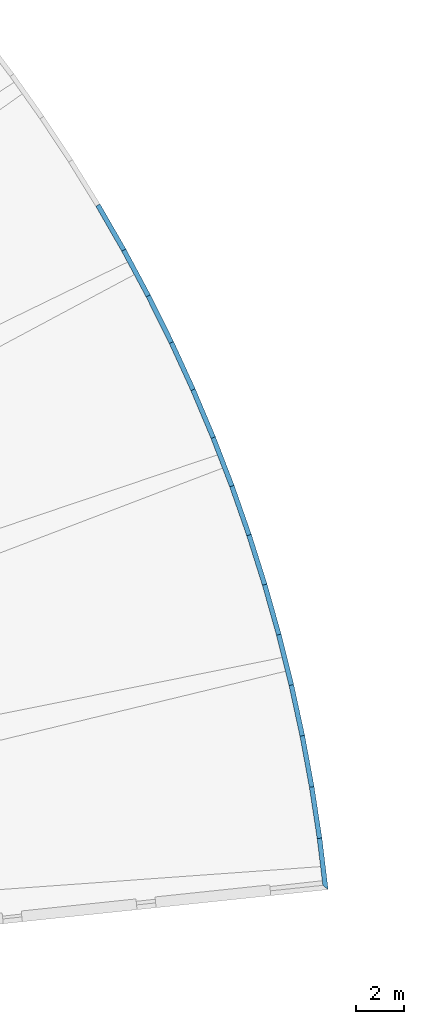
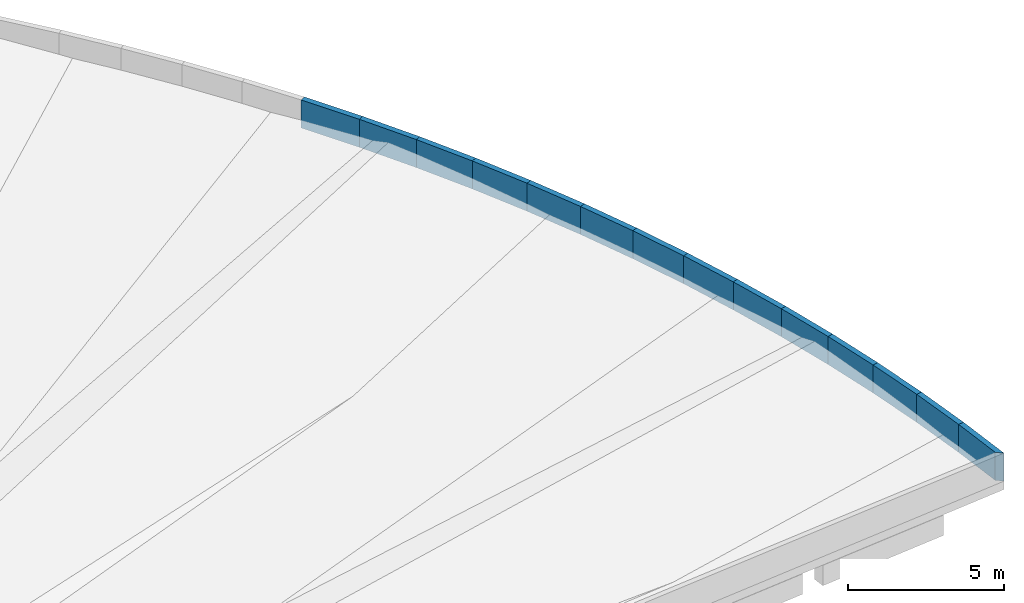
# One storey, part 41 of 74: 14 walls.
"""IFC4 building model written with IfcOpenShell, lengths in metres."""

from ifc_helpers import new_model, si_unit, direction, frame, origin, place, context, subcontext, project, spatial, polyline, outline, extrude, material, layer, layer_set, type_object, element, save


model = new_model("IFC4")

# Units and contexts
model_context = context("Model", 3, precision=1e-05, world=origin(), true_north=direction((0.0, 1.0)))
body_context = subcontext(model_context, "Body", "Model", "MODEL_VIEW")
ifc_project = project(units=[si_unit("LENGTHUNIT", "METRE"), si_unit("AREAUNIT", "SQUARE_METRE"), si_unit("VOLUMEUNIT", "CUBIC_METRE"), si_unit("PLANEANGLEUNIT", "RADIAN"), si_unit("MASSUNIT", "GRAM", prefix="KILO")], contexts=[model_context])

# Site, building, storey
site_placement = place(None, origin())
site = spatial("IfcSite", under=ifc_project, at=site_placement, CompositionType="ELEMENT")
building_placement = place(site_placement, origin())
building = spatial("IfcBuilding", under=site, at=building_placement, Name="Bougainvillea Quay General Hospital", CompositionType="ELEMENT")
storey_placement = place(building_placement, frame((0.0, 0.0, 21.0)))
storey = spatial("IfcBuildingStorey", under=building, at=storey_placement, Name="L04", CompositionType="ELEMENT", Elevation=21.0)

# Walls
ifc_material = material(Name="Concrete C35 upstand, painted white", Category="concrete")
ifc_layer = layer(ifc_material, 0.199951171875)
ifc_layer_set = layer_set([ifc_layer], Name="Concrete C35 upstand, painted white")
wall_type = type_object("IfcWallType", Name="Roof parapet wall 200", PredefinedType="PARAPET", material=ifc_layer_set)
wall_1_placement = place(storey_placement, origin())
element("IfcWall", 1, at=wall_1_placement, inside=storey, type_object=wall_type, Name="Roof parapet 1 41", PredefinedType="PARAPET", context=body_context, shape_type="SweptSolid", body=[
    extrude(outline(polyline([(178.35888671875, 31.43994140625), (178.556884765625, 31.467041015625), (178.81689453125, 29.31689453125), (178.593994140625, 29.49462890625), (178.35888671875, 31.43994140625)])), origin(), (0.0, 0.0, 1.0), 1.10009765625),
])
wall_2_placement = place(storey_placement, origin())
element("IfcWall", 2, at=wall_2_placement, inside=storey, type_object=wall_type, Name="Roof parapet 1 42", PredefinedType="PARAPET", context=body_context, shape_type="SweptSolid", body=[
    extrude(outline(polyline([(178.03369140625, 33.574951171875), (178.23095703125, 33.60791015625), (178.556884765625, 31.467041015625), (178.35888671875, 31.43994140625), (178.03369140625, 33.574951171875)])), origin(), (0.0, 0.0, 1.0), 1.10009765625),
])
wall_3_placement = place(storey_placement, origin())
element("IfcWall", 3, at=wall_3_placement, inside=storey, type_object=wall_type, Name="Roof parapet 1 43", PredefinedType="PARAPET", context=body_context, shape_type="SweptSolid", body=[
    extrude(outline(polyline([(177.642822265625, 35.69873046875), (177.839111328125, 35.738037109375), (178.23095703125, 33.60791015625), (178.03369140625, 33.574951171875), (177.642822265625, 35.69873046875)])), origin(), (0.0, 0.0, 1.0), 1.10009765625),
])
wall_4_placement = place(storey_placement, origin())
element("IfcWall", 4, at=wall_4_placement, inside=storey, type_object=wall_type, Name="Roof parapet 1 44", PredefinedType="PARAPET", context=body_context, shape_type="SweptSolid", body=[
    extrude(outline(polyline([(177.186279296875, 37.8095703125), (177.381103515625, 37.85498046875), (177.839111328125, 35.738037109375), (177.642822265625, 35.69873046875), (177.186279296875, 37.8095703125)])), origin(), (0.0, 0.0, 1.0), 1.10009765625),
])
wall_5_placement = place(storey_placement, origin())
element("IfcWall", 5, at=wall_5_placement, inside=storey, type_object=wall_type, Name="Roof parapet 1 45", PredefinedType="PARAPET", context=body_context, shape_type="SweptSolid", body=[
    extrude(outline(polyline([(176.66455078125, 39.90478515625), (176.85791015625, 39.9560546875), (177.381103515625, 37.85498046875), (177.186279296875, 37.8095703125), (176.66455078125, 39.90478515625)])), origin(), (0.0, 0.0, 1.0), 1.10009765625),
])
wall_6_placement = place(storey_placement, origin())
element("IfcWall", 6, at=wall_6_placement, inside=storey, type_object=wall_type, Name="Roof parapet 1 46", PredefinedType="PARAPET", context=body_context, shape_type="SweptSolid", body=[
    extrude(outline(polyline([(176.078369140625, 41.983642578125), (176.27001953125, 42.041015625), (176.85791015625, 39.9560546875), (176.66455078125, 39.90478515625), (176.078369140625, 41.983642578125)])), origin(), (0.0, 0.0, 1.0), 1.10009765625),
])
wall_7_placement = place(storey_placement, origin())
element("IfcWall", 7, at=wall_7_placement, inside=storey, type_object=wall_type, Name="Roof parapet 1 47", PredefinedType="PARAPET", context=body_context, shape_type="SweptSolid", body=[
    extrude(outline(polyline([(175.42822265625, 44.042724609375), (175.617919921875, 44.10595703125), (176.27001953125, 42.041015625), (176.078369140625, 41.983642578125), (175.42822265625, 44.042724609375)])), origin(), (0.0, 0.0, 1.0), 1.10009765625),
])
wall_8_placement = place(storey_placement, origin())
element("IfcWall", 8, at=wall_8_placement, inside=storey, type_object=wall_type, Name="Roof parapet 1 48", PredefinedType="PARAPET", context=body_context, shape_type="SweptSolid", body=[
    extrude(outline(polyline([(174.71435546875, 46.0810546875), (174.902099609375, 46.14990234375), (175.617919921875, 44.10595703125), (175.42822265625, 44.042724609375), (174.71435546875, 46.0810546875)])), origin(), (0.0, 0.0, 1.0), 1.10009765625),
])
wall_9_placement = place(storey_placement, origin())
element("IfcWall", 9, at=wall_9_placement, inside=storey, type_object=wall_type, Name="Roof parapet 1 49", PredefinedType="PARAPET", context=body_context, shape_type="SweptSolid", body=[
    extrude(outline(polyline([(173.9384765625, 48.09619140625), (174.1240234375, 48.1708984375), (174.902099609375, 46.14990234375), (174.71435546875, 46.0810546875), (173.9384765625, 48.09619140625)])), origin(), (0.0, 0.0, 1.0), 1.10009765625),
])
wall_10_placement = place(storey_placement, origin())
element("IfcWall", 10, at=wall_10_placement, inside=storey, type_object=wall_type, Name="Roof parapet 1 50", PredefinedType="PARAPET", context=body_context, shape_type="SweptSolid", body=[
    extrude(outline(polyline([(173.099853515625, 50.08642578125), (173.282958984375, 50.1669921875), (174.1240234375, 48.1708984375), (173.9384765625, 48.09619140625), (173.099853515625, 50.08642578125)])), origin(), (0.0, 0.0, 1.0), 1.10009765625),
])
wall_11_placement = place(storey_placement, origin())
element("IfcWall", 11, at=wall_11_placement, inside=storey, type_object=wall_type, Name="Roof parapet 1 51", PredefinedType="PARAPET", context=body_context, shape_type="SweptSolid", body=[
    extrude(outline(polyline([(172.200439453125, 52.0498046875), (172.381103515625, 52.135986328125), (173.282958984375, 50.1669921875), (173.099853515625, 50.08642578125), (172.200439453125, 52.0498046875)])), origin(), (0.0, 0.0, 1.0), 1.10009765625),
])
wall_12_placement = place(storey_placement, origin())
element("IfcWall", 12, at=wall_12_placement, inside=storey, type_object=wall_type, Name="Roof parapet 1 52", PredefinedType="PARAPET", context=body_context, shape_type="SweptSolid", body=[
    extrude(outline(polyline([(171.240234375, 53.984375), (171.41796875, 54.075927734375), (172.381103515625, 52.135986328125), (172.200439453125, 52.0498046875), (171.240234375, 53.984375)])), origin(), (0.0, 0.0, 1.0), 1.10009765625),
])
wall_13_placement = place(storey_placement, origin())
element("IfcWall", 13, at=wall_13_placement, inside=storey, type_object=wall_type, Name="Roof parapet 1 53", PredefinedType="PARAPET", context=body_context, shape_type="SweptSolid", body=[
    extrude(outline(polyline([(170.22119140625, 55.887939453125), (170.39599609375, 55.985107421875), (171.41796875, 54.075927734375), (171.240234375, 53.984375), (170.22119140625, 55.887939453125)])), origin(), (0.0, 0.0, 1.0), 1.10009765625),
])
wall_14_placement = place(storey_placement, origin())
element("IfcWall", 14, at=wall_14_placement, inside=storey, type_object=wall_type, Name="Roof parapet 1 54", PredefinedType="PARAPET", context=body_context, shape_type="SweptSolid", body=[
    extrude(outline(polyline([(169.144287109375, 57.759521484375), (169.31591796875, 57.862060546875), (170.39599609375, 55.985107421875), (170.22119140625, 55.887939453125), (169.144287109375, 57.759521484375)])), origin(), (0.0, 0.0, 1.0), 1.10009765625),
])

save(model, "model.ifc")
